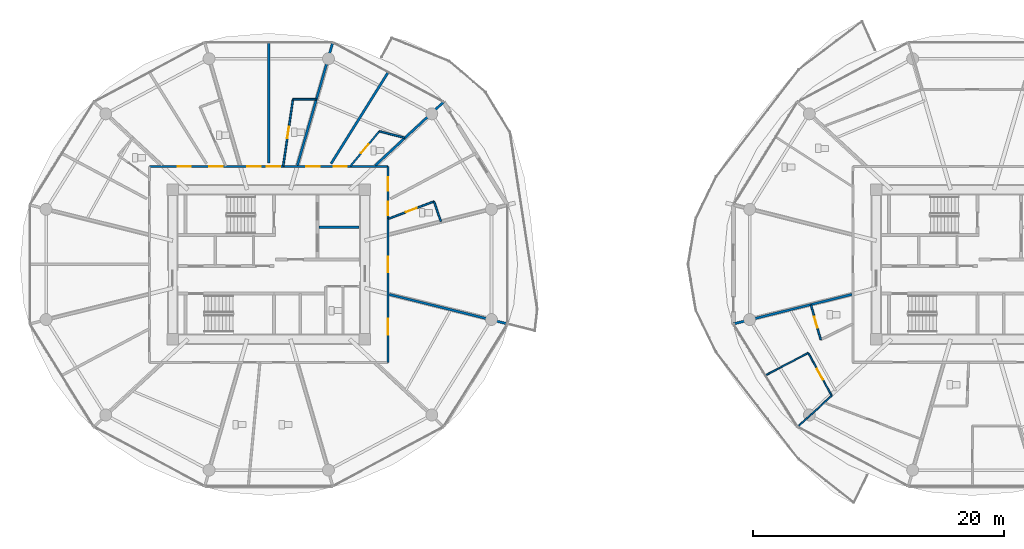
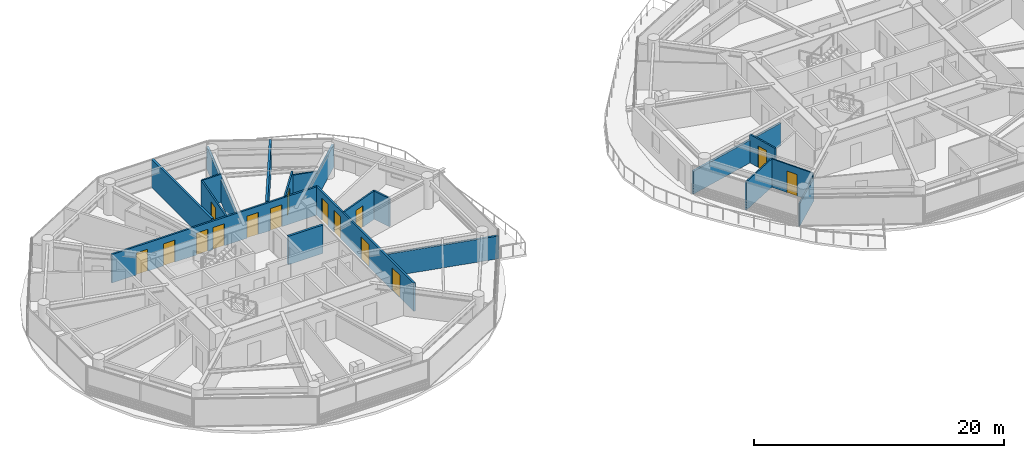
# One storey, part 17 of 26: 19 walls, 15 doors, 15 openings.
"""IFC4 building model written with IfcOpenShell, lengths in metres."""

from ifc_helpers import new_model, si_unit, direction, frame, frame_2d, origin, place, context, subcontext, project, spatial, rectangle, extrude, source, transform, mapped, material, layer, layer_set, type_object, type_shapes, element, fill, save


model = new_model("IFC4")

# Units and contexts
model_context = context("Model", 3, precision=1e-05, world=origin(), true_north=direction((0.0, 1.0)))
body_context = subcontext(model_context, "Body", "Model", "MODEL_VIEW")
ifc_project = project(units=[si_unit("LENGTHUNIT", "METRE"), si_unit("AREAUNIT", "SQUARE_METRE"), si_unit("VOLUMEUNIT", "CUBIC_METRE"), si_unit("PLANEANGLEUNIT", "RADIAN"), si_unit("MASSUNIT", "GRAM", prefix="KILO")], contexts=[model_context])

# Site, building, storey
site_placement = place(None, origin())
site = spatial("IfcSite", under=ifc_project, at=site_placement, CompositionType="ELEMENT")
building_placement = place(site_placement, origin())
building = spatial("IfcBuilding", under=site, at=building_placement, Name="Norrkilde Senior Care Towers", CompositionType="ELEMENT")
storey_placement = place(building_placement, frame((0.0, 0.0, 67.35009765625)))
storey = spatial("IfcBuildingStorey", under=building, at=storey_placement, Name="L20", CompositionType="ELEMENT", Elevation=67.35009765625)

# Wall
ifc_material_1 = material(Name="Concrete C45/55", Category="concrete")
ifc_layer_1 = layer(ifc_material_1, 0.199951171875)
ifc_layer_set_1 = layer_set([ifc_layer_1], Name="Concrete C45/55")
wall_type_1 = type_object("IfcWallType", Name="Shaft Division and Plant Partition 200", PredefinedType="PARTITIONING", material=ifc_layer_set_1)
shared_shape_1 = source(origin(), body_context, "Body", "SweptSolid", [
    extrude(rectangle(XDim=3.199951171875, YDim=0.199951171875, at=frame_2d((1.60009765625, 0.0))), origin(), (0.0, 0.0, 1.0), 2.77490234375),
])
type_shapes(wall_type_1, [shared_shape_1])
wall_1_placement = place(storey_placement, frame((-24.0, 2.949951171875, 0.0), z_axis=(0.0, 0.0, 1.0), x_axis=(1.0, 0.0, 0.0)))
element("IfcWall", 1, at=wall_1_placement, inside=storey, type_object=wall_type_1, Name="WL-INT-L20-W-FFLDIV", PredefinedType="PARTITIONING", context=body_context, shape_type="MappedRepresentation", body=[
    mapped(shared_shape_1, transform((0.0, 0.0, 0.0), x_axis=(1.0, 0.0, 0.0), y_axis=(0.0, 1.0, 0.0), z_axis=(0.0, 0.0, 1.0), scale=1.0)),
])

# Wall, openings, doors
ifc_material_2 = material(Name="Gypsum Acoustic Board")
ifc_layer_2 = layer(ifc_material_2, 0.1650390625)
ifc_layer_set_2 = layer_set([ifc_layer_2], Name="Gypsum Acoustic Board")
wall_type_2 = type_object("IfcWallType", Name="Corridor Rated Partition 165", PredefinedType="PARTITIONING", material=ifc_layer_set_2)
shared_shape_2 = source(origin(), body_context, "Body", "SweptSolid", [
    extrude(rectangle(XDim=19.0, YDim=0.1650390625, at=frame_2d((9.5, 0.0))), origin(), (0.0, 0.0, 1.0), 2.77490234375),
])
wall_2_placement = place(storey_placement, frame((-37.5, 7.800048828125, 0.0), z_axis=(0.0, 0.0, 1.0), x_axis=(1.0, 0.0, 0.0)))
wall_2 = element("IfcWall", 2, at=wall_2_placement, inside=storey, type_object=wall_type_2, Name="WL-INT-L20-W-CRW-N-0", PredefinedType="PARTITIONING", context=body_context, shape_type="MappedRepresentation", body=[
    mapped(shared_shape_2, transform((0.0, 0.0, 0.0), x_axis=(1.0, 0.0, 0.0), y_axis=(0.0, 1.0, 0.0), z_axis=(0.0, 0.0, 1.0), scale=1.0)),
])
opening_1_placement = place(wall_2_placement, frame((14.6533203125, 0.0, 0.0)))
opening_1 = element("IfcOpeningElement", 3, at=opening_1_placement, cuts=wall_2, Name="Opening D-06", PredefinedType="OPENING", context=body_context, shape_type="SweptSolid", body=[
    extrude(rectangle(XDim=1.050048828125, YDim=2.14990234375, at=frame_2d((0.52490234375, 1.074951171875))), frame((0.0, 0.092529296875, 0.0), z_axis=(0.0, -1.0, 0.0), x_axis=(1.0, 0.0, 0.0)), (0.0, 0.0, 1.0), 0.18505859375),
])
opening_2_placement = place(wall_2_placement, frame((12.499755859375, 0.0, 0.0)))
opening_2 = element("IfcOpeningElement", 4, at=opening_2_placement, cuts=wall_2, Name="Opening D-06", PredefinedType="OPENING", context=body_context, shape_type="SweptSolid", body=[
    extrude(rectangle(XDim=1.050048828125, YDim=2.14990234375, at=frame_2d((0.52490234375, 1.074951171875))), frame((0.0, 0.092529296875, 0.0), z_axis=(0.0, -1.0, 0.0), x_axis=(1.0, 0.0, 0.0)), (0.0, 0.0, 1.0), 0.18505859375),
])
opening_3_placement = place(wall_2_placement, frame((9.351806640625, 0.0, 0.0)))
opening_3 = element("IfcOpeningElement", 5, at=opening_3_placement, cuts=wall_2, Name="Opening D-06", PredefinedType="OPENING", context=body_context, shape_type="SweptSolid", body=[
    extrude(rectangle(XDim=1.050048828125, YDim=2.14990234375, at=frame_2d((0.52490234375, 1.074951171875))), frame((0.0, 0.092529296875, 0.0), z_axis=(0.0, -1.0, 0.0), x_axis=(1.0, 0.0, 0.0)), (0.0, 0.0, 1.0), 0.18505859375),
])
opening_4_placement = place(wall_2_placement, frame((7.806396484375, 0.0, 0.0)))
opening_4 = element("IfcOpeningElement", 6, at=opening_4_placement, cuts=wall_2, Name="Opening D-06", PredefinedType="OPENING", context=body_context, shape_type="SweptSolid", body=[
    extrude(rectangle(XDim=1.050048828125, YDim=2.14990234375, at=frame_2d((0.52490234375, 1.074951171875))), frame((0.0, 0.092529296875, 0.0), z_axis=(0.0, -1.0, 0.0), x_axis=(1.0, 0.0, 0.0)), (0.0, 0.0, 1.0), 0.18505859375),
])
opening_5_placement = place(wall_2_placement, frame((4.77294921875, 0.0, 0.0)))
opening_5 = element("IfcOpeningElement", 7, at=opening_5_placement, cuts=wall_2, Name="Opening D-06", PredefinedType="OPENING", context=body_context, shape_type="SweptSolid", body=[
    extrude(rectangle(XDim=1.050048828125, YDim=2.14990234375, at=frame_2d((0.52490234375, 1.074951171875))), frame((0.0, 0.092529296875, 0.0), z_axis=(0.0, -1.0, 0.0), x_axis=(1.0, 0.0, 0.0)), (0.0, 0.0, 1.0), 0.18505859375),
])
opening_6_placement = place(wall_2_placement, frame((2.251220703125, 0.0, 0.0)))
opening_6 = element("IfcOpeningElement", 8, at=opening_6_placement, cuts=wall_2, Name="Opening D-06", PredefinedType="OPENING", context=body_context, shape_type="SweptSolid", body=[
    extrude(rectangle(XDim=1.050048828125, YDim=2.14990234375, at=frame_2d((0.52490234375, 1.074951171875))), frame((0.0, 0.092529296875, 0.0), z_axis=(0.0, -1.0, 0.0), x_axis=(1.0, 0.0, 0.0)), (0.0, 0.0, 1.0), 0.18505859375),
])
ifc_material_3 = material(Name="Nordic Ash Timber", Category="wood")
door_type_1 = type_object("IfcDoorType", Name="Apartment Entrance Fire Door 1050x2150", OperationType="NOTDEFINED", PredefinedType="DOOR", material=ifc_material_3)
shared_shape_3 = source(origin(), body_context, "Body", "SweptSolid", [
    extrude(rectangle(XDim=1.050048828125, YDim=2.14990234375, at=frame_2d((0.52490234375, 1.074951171875))), frame((0.0, 0.02490234375, 0.0), z_axis=(0.0, -1.0, 0.0), x_axis=(1.0, 0.0, 0.0)), (0.0, 0.0, 1.0), 0.050048828125),
])
type_shapes(door_type_1, [shared_shape_3])
door_1_placement = place(opening_1_placement, frame((1.050048828125, 0.0, 0.0), z_axis=(0.0, 0.0, 1.0), x_axis=(-1.0, 0.0, 0.0)))
door_1 = element("IfcDoor", 9, at=door_1_placement, inside=storey, type_object=door_type_1, Name="L20 Care Suite 2001A Entrance Door", OperationType="SINGLE_SWING_RIGHT", OverallHeight=2.14990234375, OverallWidth=1.050048828125, PredefinedType="DOOR", context=body_context, shape_type="MappedRepresentation", body=[
    mapped(shared_shape_3, transform((0.0, 0.0, 0.0), x_axis=(1.0, 0.0, 0.0), y_axis=(0.0, 1.0, 0.0), z_axis=(0.0, 0.0, 1.0), scale=1.0)),
])
fill(opening_1, door_1)
door_2_placement = place(opening_2_placement, frame((1.050048828125, 0.0, 0.0), z_axis=(0.0, 0.0, 1.0), x_axis=(-1.0, 0.0, 0.0)))
door_2 = element("IfcDoor", 10, at=door_2_placement, inside=storey, type_object=door_type_1, Name="L20 Therapy Day Lounge 01 Door", OperationType="SINGLE_SWING_LEFT", OverallHeight=2.14990234375, OverallWidth=1.050048828125, PredefinedType="DOOR", context=body_context, shape_type="MappedRepresentation", body=[
    mapped(shared_shape_3, transform((0.0, 0.0, 0.0), x_axis=(1.0, 0.0, 0.0), y_axis=(0.0, 1.0, 0.0), z_axis=(0.0, 0.0, 1.0), scale=1.0)),
])
fill(opening_2, door_2)
door_3_placement = place(opening_3_placement, frame((1.050048828125, 0.0, 0.0), z_axis=(0.0, 0.0, 1.0), x_axis=(-1.0, 0.0, 0.0)))
door_3 = element("IfcDoor", 11, at=door_3_placement, inside=storey, type_object=door_type_1, Name="L20 Care Suite 2002A Entrance Door", OperationType="SINGLE_SWING_LEFT", OverallHeight=2.14990234375, OverallWidth=1.050048828125, PredefinedType="DOOR", context=body_context, shape_type="MappedRepresentation", body=[
    mapped(shared_shape_3, transform((0.0, 0.0, 0.0), x_axis=(1.0, 0.0, 0.0), y_axis=(0.0, 1.0, 0.0), z_axis=(0.0, 0.0, 1.0), scale=1.0)),
])
fill(opening_3, door_3)
door_4_placement = place(opening_4_placement, frame((1.050048828125, 0.0, 0.0), z_axis=(0.0, 0.0, 1.0), x_axis=(-1.0, 0.0, 0.0)))
door_4 = element("IfcDoor", 12, at=door_4_placement, inside=storey, type_object=door_type_1, Name="L20 Therapy Day Lounge 02 Door", OperationType="SINGLE_SWING_RIGHT", OverallHeight=2.14990234375, OverallWidth=1.050048828125, PredefinedType="DOOR", context=body_context, shape_type="MappedRepresentation", body=[
    mapped(shared_shape_3, transform((0.0, 0.0, 0.0), x_axis=(1.0, 0.0, 0.0), y_axis=(0.0, 1.0, 0.0), z_axis=(0.0, 0.0, 1.0), scale=1.0)),
])
fill(opening_4, door_4)
door_5_placement = place(opening_5_placement, frame((1.050048828125, 0.0, 0.0), z_axis=(0.0, 0.0, 1.0), x_axis=(-1.0, 0.0, 0.0)))
door_5 = element("IfcDoor", 13, at=door_5_placement, inside=storey, type_object=door_type_1, Name="L20 Care Suite 2003A Entrance Door", OperationType="SINGLE_SWING_RIGHT", OverallHeight=2.14990234375, OverallWidth=1.050048828125, PredefinedType="DOOR", context=body_context, shape_type="MappedRepresentation", body=[
    mapped(shared_shape_3, transform((0.0, 0.0, 0.0), x_axis=(1.0, 0.0, 0.0), y_axis=(0.0, 1.0, 0.0), z_axis=(0.0, 0.0, 1.0), scale=1.0)),
])
fill(opening_5, door_5)
door_6_placement = place(opening_6_placement, frame((1.050048828125, 0.0, 0.0), z_axis=(0.0, 0.0, 1.0), x_axis=(-1.0, 0.0, 0.0)))
door_6 = element("IfcDoor", 14, at=door_6_placement, inside=storey, type_object=door_type_1, Name="L20 Therapy Day Lounge 03 Door", OperationType="SINGLE_SWING_LEFT", OverallHeight=2.14990234375, OverallWidth=1.050048828125, PredefinedType="DOOR", context=body_context, shape_type="MappedRepresentation", body=[
    mapped(shared_shape_3, transform((0.0, 0.0, 0.0), x_axis=(1.0, 0.0, 0.0), y_axis=(0.0, 1.0, 0.0), z_axis=(0.0, 0.0, 1.0), scale=1.0)),
])
fill(opening_6, door_6)

shared_shape_4 = source(origin(), body_context, "Body", "SweptSolid", [
    extrude(rectangle(XDim=15.60009765625, YDim=0.1650390625, at=frame_2d((7.800048828125, 0.0))), origin(), (0.0, 0.0, 1.0), 2.77490234375),
])
type_shapes(wall_type_2, [shared_shape_2, shared_shape_4])
wall_3_placement = place(storey_placement, frame((-18.5, 7.800048828125, 0.0), z_axis=(0.0, 0.0, 1.0), x_axis=(0.0, -1.0, 0.0)))
wall_3 = element("IfcWall", 15, at=wall_3_placement, inside=storey, type_object=wall_type_2, Name="WL-INT-L20-W-CRW-E-0", PredefinedType="PARTITIONING", context=body_context, shape_type="MappedRepresentation", body=[
    mapped(shared_shape_4, transform((0.0, 0.0, 0.0), x_axis=(1.0, 0.0, 0.0), y_axis=(0.0, 1.0, 0.0), z_axis=(0.0, 0.0, 1.0), scale=1.0)),
])
opening_7_placement = place(wall_3_placement, frame((12.141357421875, 0.0, 0.0)))
opening_7 = element("IfcOpeningElement", 16, at=opening_7_placement, cuts=wall_3, Name="Opening D-05", PredefinedType="OPENING", context=body_context, shape_type="SweptSolid", body=[
    extrude(rectangle(XDim=1.25, YDim=2.199951171875, at=frame_2d((0.625, 1.10009765625))), frame((0.0, 0.092529296875, 0.0), z_axis=(0.0, -1.0, 0.0), x_axis=(1.0, 0.0, 0.0)), (0.0, 0.0, 1.0), 0.18505859375),
])
opening_8_placement = place(wall_3_placement, frame((7.175048828125, 0.0, 0.0)))
opening_8 = element("IfcOpeningElement", 17, at=opening_8_placement, cuts=wall_3, Name="Opening D-05", PredefinedType="OPENING", context=body_context, shape_type="SweptSolid", body=[
    extrude(rectangle(XDim=1.25, YDim=2.199951171875, at=frame_2d((0.625, 1.10009765625))), frame((0.0, 0.092529296875, 0.0), z_axis=(0.0, -1.0, 0.0), x_axis=(1.0, 0.0, 0.0)), (0.0, 0.0, 1.0), 0.18505859375),
])
opening_9_placement = place(wall_3_placement, frame((2.826416015625, 0.0, 0.0)))
opening_9 = element("IfcOpeningElement", 18, at=opening_9_placement, cuts=wall_3, Name="Opening D-06", PredefinedType="OPENING", context=body_context, shape_type="SweptSolid", body=[
    extrude(rectangle(XDim=1.050048828125, YDim=2.14990234375, at=frame_2d((0.52490234375, 1.074951171875))), frame((0.0, 0.092529296875, 0.0), z_axis=(0.0, -1.0, 0.0), x_axis=(1.0, 0.0, 0.0)), (0.0, 0.0, 1.0), 0.18505859375),
])
opening_10_placement = place(wall_3_placement, frame((0.88134765625, 0.0, 0.0)))
opening_10 = element("IfcOpeningElement", 19, at=opening_10_placement, cuts=wall_3, Name="Opening D-06", PredefinedType="OPENING", context=body_context, shape_type="SweptSolid", body=[
    extrude(rectangle(XDim=1.050048828125, YDim=2.14990234375, at=frame_2d((0.52490234375, 1.074951171875))), frame((0.0, 0.092529296875, 0.0), z_axis=(0.0, -1.0, 0.0), x_axis=(1.0, 0.0, 0.0)), (0.0, 0.0, 1.0), 0.18505859375),
])
door_type_2 = type_object("IfcDoorType", Name="Care Bedroom Bariatric Door 1250x2200", OperationType="NOTDEFINED", PredefinedType="DOOR", material=ifc_material_3)
shared_shape_5 = source(origin(), body_context, "Body", "SweptSolid", [
    extrude(rectangle(XDim=1.25, YDim=2.199951171875, at=frame_2d((0.625, 1.10009765625))), frame((0.0, 0.02490234375, 0.0), z_axis=(0.0, -1.0, 0.0), x_axis=(1.0, 0.0, 0.0)), (0.0, 0.0, 1.0), 0.050048828125),
])
type_shapes(door_type_2, [shared_shape_5])
door_7_placement = place(opening_7_placement, frame((1.25, 0.0, 0.0), z_axis=(0.0, 0.0, 1.0), x_axis=(-1.0, 0.0, 0.0)))
door_7 = element("IfcDoor", 20, at=door_7_placement, inside=storey, type_object=door_type_2, Name="L20 Care Coordination Charting Office Door", OperationType="SINGLE_SWING_LEFT", OverallHeight=2.199951171875, OverallWidth=1.25, PredefinedType="DOOR", context=body_context, shape_type="MappedRepresentation", body=[
    mapped(shared_shape_5, transform((0.0, 0.0, 0.0), x_axis=(1.0, 0.0, 0.0), y_axis=(0.0, 1.0, 0.0), z_axis=(0.0, 0.0, 1.0), scale=1.0)),
])
fill(opening_7, door_7)
door_8_placement = place(opening_8_placement, frame((1.25, 0.0, 0.0), z_axis=(0.0, 0.0, 1.0), x_axis=(-1.0, 0.0, 0.0)))
door_8 = element("IfcDoor", 21, at=door_8_placement, inside=storey, type_object=door_type_2, Name="L20 Resident Family Conference Room Door", OperationType="SINGLE_SWING_RIGHT", OverallHeight=2.199951171875, OverallWidth=1.25, PredefinedType="DOOR", context=body_context, shape_type="MappedRepresentation", body=[
    mapped(shared_shape_5, transform((0.0, 0.0, 0.0), x_axis=(1.0, 0.0, 0.0), y_axis=(0.0, 1.0, 0.0), z_axis=(0.0, 0.0, 1.0), scale=1.0)),
])
fill(opening_8, door_8)
door_9_placement = place(opening_9_placement, frame((1.050048828125, 0.0, 0.0), z_axis=(0.0, 0.0, 1.0), x_axis=(-1.0, 0.0, 0.0)))
door_9 = element("IfcDoor", 22, at=door_9_placement, inside=storey, type_object=door_type_1, Name="L20 Care Suite 2000A Entrance Door", OperationType="SINGLE_SWING_LEFT", OverallHeight=2.14990234375, OverallWidth=1.050048828125, PredefinedType="DOOR", context=body_context, shape_type="MappedRepresentation", body=[
    mapped(shared_shape_3, transform((0.0, 0.0, 0.0), x_axis=(1.0, 0.0, 0.0), y_axis=(0.0, 1.0, 0.0), z_axis=(0.0, 0.0, 1.0), scale=1.0)),
])
fill(opening_9, door_9)
door_10_placement = place(opening_10_placement, frame((1.050048828125, 0.0, 0.0), z_axis=(0.0, 0.0, 1.0), x_axis=(-1.0, 0.0, 0.0)))
door_10 = element("IfcDoor", 23, at=door_10_placement, inside=storey, type_object=door_type_1, Name="L20 Therapy Day Lounge 00 Door", OperationType="SINGLE_SWING_RIGHT", OverallHeight=2.14990234375, OverallWidth=1.050048828125, PredefinedType="DOOR", context=body_context, shape_type="MappedRepresentation", body=[
    mapped(shared_shape_3, transform((0.0, 0.0, 0.0), x_axis=(1.0, 0.0, 0.0), y_axis=(0.0, 1.0, 0.0), z_axis=(0.0, 0.0, 1.0), scale=1.0)),
])
fill(opening_10, door_10)

# Walls
ifc_layer_3 = layer(ifc_material_2, 0.18994140625)
ifc_layer_set_3 = layer_set([ifc_layer_3], Name="Gypsum Acoustic Board")
wall_type_3 = type_object("IfcWallType", Name="Unit Demising Acoustic Wall 190", PredefinedType="PARTITIONING", material=ifc_layer_set_3)
shared_shape_6 = source(origin(), body_context, "Body", "SweptSolid", [
    extrude(rectangle(XDim=7.4345703125, YDim=0.18994140625, at=frame_2d((3.71728515625, 0.0))), origin(), (0.0, 0.0, 1.0), 2.224853515625),
])
wall_4_placement = place(storey_placement, frame((-19.51708984375, 7.8798828125, 0.0), z_axis=(0.0, 0.0, 1.0), x_axis=(0.732651956848, 0.680603489652, 0.0)))
element("IfcWall", 24, at=wall_4_placement, inside=storey, type_object=wall_type_3, Name="WL-INT-L20-W-DEM-01-0", PredefinedType="PARTITIONING", context=body_context, shape_type="MappedRepresentation", body=[
    mapped(shared_shape_6, transform((0.0, 0.0, 0.0), x_axis=(1.0, 0.0, 0.0), y_axis=(0.0, 1.0, 0.0), z_axis=(0.0, 0.0, 1.0), scale=1.0)),
])
shared_shape_7 = source(origin(), body_context, "Body", "SweptSolid", [
    extrude(rectangle(XDim=10.196044921875, YDim=0.18994140625, at=frame_2d((5.09814453125, 0.0))), origin(), (0.0, 0.0, 1.0), 2.224853515625),
])
wall_5_placement = place(storey_placement, frame((-25.72705078125, 7.8798828125, 0.0), z_axis=(0.0, 0.0, 1.0), x_axis=(0.277136420347, 0.960830580549, 0.0)))
element("IfcWall", 25, at=wall_5_placement, inside=storey, type_object=wall_type_3, Name="WL-INT-L20-W-DEM-02-0", PredefinedType="PARTITIONING", context=body_context, shape_type="MappedRepresentation", body=[
    mapped(shared_shape_7, transform((0.0, 0.0, 0.0), x_axis=(1.0, 0.0, 0.0), y_axis=(0.0, 1.0, 0.0), z_axis=(0.0, 0.0, 1.0), scale=1.0)),
])
shared_shape_8 = source(origin(), body_context, "Body", "SweptSolid", [
    extrude(rectangle(XDim=8.59814453125, YDim=0.18994140625, at=frame_2d((4.299072265625, 0.0))), origin(), (0.0, 0.0, 1.0), 2.77490234375),
])
wall_6_placement = place(storey_placement, frame((-23.04296875, 8.017333984375, 0.0), z_axis=(0.0, 0.0, 1.0), x_axis=(0.530039776395, 0.847972779893, 0.0)))
element("IfcWall", 26, at=wall_6_placement, inside=storey, type_object=wall_type_3, Name="WL-INT-L20-W-CMID-01", PredefinedType="PARTITIONING", context=body_context, shape_type="MappedRepresentation", body=[
    mapped(shared_shape_8, transform((0.0, 0.0, 0.0), x_axis=(1.0, 0.0, 0.0), y_axis=(0.0, 1.0, 0.0), z_axis=(0.0, 0.0, 1.0), scale=1.0)),
])

# Wall, opening, door
ifc_layer_4 = layer(ifc_material_2, 0.139892578125)
ifc_layer_set_4 = layer_set([ifc_layer_4], Name="Gypsum Acoustic Board")
wall_type_4 = type_object("IfcWallType", Name="En-suite Wet Room Wall 140", PredefinedType="PARTITIONING", material=ifc_layer_set_4)
shared_shape_9 = source(origin(), body_context, "Body", "SweptSolid", [
    extrude(rectangle(XDim=3.594482421875, YDim=0.139892578125, at=frame_2d((1.79736328125, 0.0))), origin(), (0.0, 0.0, 1.0), 2.77490234375),
])
wall_7_placement = place(storey_placement, frame((-21.49560546875, 7.830078125, 0.0), z_axis=(0.0, 0.0, 1.0), x_axis=(0.639001147083, 0.769205781326, 0.0)))
wall_7 = element("IfcWall", 27, at=wall_7_placement, inside=storey, type_object=wall_type_4, Name="WL-INT-L20-W-ES-01A", PredefinedType="PARTITIONING", context=body_context, shape_type="MappedRepresentation", body=[
    mapped(shared_shape_9, transform((0.0, 0.0, 0.0), x_axis=(1.0, 0.0, 0.0), y_axis=(0.0, 1.0, 0.0), z_axis=(0.0, 0.0, 1.0), scale=1.0)),
])
opening_11_placement = place(wall_7_placement, frame((1.33740234375, 0.0, 0.0)))
opening_11 = element("IfcOpeningElement", 28, at=opening_11_placement, cuts=wall_7, Name="Opening D-08", PredefinedType="OPENING", context=body_context, shape_type="SweptSolid", body=[
    extrude(rectangle(XDim=0.919921875, YDim=2.10009765625, at=frame_2d((0.4599609375, 1.050048828125))), frame((0.0, 0.079833984375, 0.0), z_axis=(0.0, -1.0, 0.0), x_axis=(1.0, 0.0, 0.0)), (0.0, 0.0, 1.0), 0.159912109375),
])
door_type_3 = type_object("IfcDoorType", Name="Accessible Wet Room Door 920x2100", OperationType="NOTDEFINED", PredefinedType="DOOR", material=ifc_material_3)
shared_shape_10 = source(origin(), body_context, "Body", "SweptSolid", [
    extrude(rectangle(XDim=0.919921875, YDim=2.10009765625, at=frame_2d((0.4599609375, 1.050048828125))), frame((0.0, 0.02490234375, 0.0), z_axis=(0.0, -1.0, 0.0), x_axis=(1.0, 0.0, 0.0)), (0.0, 0.0, 1.0), 0.050048828125),
])
type_shapes(door_type_3, [shared_shape_10])
door_11_placement = place(opening_11_placement, origin())
door_11 = element("IfcDoor", 29, at=door_11_placement, inside=storey, type_object=door_type_3, Name="L20 Care Suite 2001A Bathroom Door", OperationType="SINGLE_SWING_LEFT", OverallHeight=2.10009765625, OverallWidth=0.919921875, PredefinedType="DOOR", context=body_context, shape_type="MappedRepresentation", body=[
    mapped(shared_shape_10, transform((0.0, 0.0, 0.0), x_axis=(1.0, 0.0, 0.0), y_axis=(0.0, 1.0, 0.0), z_axis=(0.0, 0.0, 1.0), scale=1.0)),
])
fill(opening_11, door_11)

# Walls
shared_shape_11 = source(origin(), body_context, "Body", "SweptSolid", [
    extrude(rectangle(XDim=2.06201171875, YDim=0.139892578125, at=frame_2d((1.031005859375, 0.0))), origin(), (0.0, 0.0, 1.0), 2.414794921875),
])
wall_8_placement = place(storey_placement, frame((-19.19873046875, 10.594970703125, 0.0), z_axis=(0.0, 0.0, 1.0), x_axis=(0.968776253543, -0.247936626121, 0.0)))
element("IfcWall", 30, at=wall_8_placement, inside=storey, type_object=wall_type_4, Name="WL-INT-L20-W-EF-01A", PredefinedType="PARTITIONING", context=body_context, shape_type="MappedRepresentation", body=[
    mapped(shared_shape_11, transform((0.0, 0.0, 0.0), x_axis=(1.0, 0.0, 0.0), y_axis=(0.0, 1.0, 0.0), z_axis=(0.0, 0.0, 1.0), scale=1.0)),
])
shared_shape_12 = source(origin(), body_context, "Body", "SweptSolid", [
    extrude(rectangle(XDim=9.737060546875, YDim=0.18994140625, at=frame_2d((4.86865234375, 0.0))), origin(), (0.0, 0.0, 1.0), 2.224853515625),
])
for number, where, z_axis, x_axis, name in (
    (31, (-18.419921875, -2.384521484375, 0.0), (0.0, 0.0, 1.0), (0.970392716238, -0.241532557375, 0.0), "WL-INT-L20-W-DEM-11-0"),
    (32, (18.419921875, -2.384521484375, 0.0), (0.0, 0.0, 1.0), (-0.970392716238, -0.241532557375, 0.0), "WL-INT-L20-E-DEM-06-0"),
):
    element("IfcWall", number, at=place(storey_placement, frame(where, z_axis=z_axis, x_axis=x_axis)), inside=storey, type_object=wall_type_3, Name=name, PredefinedType="PARTITIONING", context=body_context, shape_type="MappedRepresentation", body=[
        mapped(shared_shape_12, transform((0.0, 0.0, 0.0), x_axis=(1.0, 0.0, 0.0), y_axis=(0.0, 1.0, 0.0), z_axis=(0.0, 0.0, 1.0), scale=1.0)),
    ])

# Wall, opening, door
shared_shape_13 = source(origin(), body_context, "Body", "SweptSolid", [
    extrude(rectangle(XDim=3.8740234375, YDim=0.139892578125, at=frame_2d((1.93701171875, 0.0))), origin(), (0.0, 0.0, 1.0), 2.77490234375),
])
wall_9_placement = place(storey_placement, frame((-18.469970703125, 3.631591796875, 0.0), z_axis=(0.0, 0.0, 1.0), x_axis=(0.934461775659, 0.35606346321, 0.0)))
wall_9 = element("IfcWall", 33, at=wall_9_placement, inside=storey, type_object=wall_type_4, Name="WL-INT-L20-W-ES-00A", PredefinedType="PARTITIONING", context=body_context, shape_type="MappedRepresentation", body=[
    mapped(shared_shape_13, transform((0.0, 0.0, 0.0), x_axis=(1.0, 0.0, 0.0), y_axis=(0.0, 1.0, 0.0), z_axis=(0.0, 0.0, 1.0), scale=1.0)),
])
opening_12_placement = place(wall_9_placement, frame((1.47705078125, 0.0, 0.0)))
opening_12 = element("IfcOpeningElement", 34, at=opening_12_placement, cuts=wall_9, Name="Opening D-08", PredefinedType="OPENING", context=body_context, shape_type="SweptSolid", body=[
    extrude(rectangle(XDim=0.919921875, YDim=2.10009765625, at=frame_2d((0.4599609375, 1.050048828125))), frame((0.0, 0.079833984375, 0.0), z_axis=(0.0, -1.0, 0.0), x_axis=(1.0, 0.0, 0.0)), (0.0, 0.0, 1.0), 0.159912109375),
])
door_12_placement = place(opening_12_placement, origin())
door_12 = element("IfcDoor", 35, at=door_12_placement, inside=storey, type_object=door_type_3, Name="L20 Care Suite 2000A Bathroom Door", OperationType="SINGLE_SWING_RIGHT", OverallHeight=2.10009765625, OverallWidth=0.919921875, PredefinedType="DOOR", context=body_context, shape_type="MappedRepresentation", body=[
    mapped(shared_shape_10, transform((0.0, 0.0, 0.0), x_axis=(1.0, 0.0, 0.0), y_axis=(0.0, 1.0, 0.0), z_axis=(0.0, 0.0, 1.0), scale=1.0)),
])
fill(opening_12, door_12)

# Walls
shared_shape_14 = source(origin(), body_context, "Body", "SweptSolid", [
    extrude(rectangle(XDim=1.67578125, YDim=0.139892578125, at=frame_2d((0.837890625, 0.0))), origin(), (0.0, 0.0, 1.0), 2.77490234375),
])
wall_10_placement = place(storey_placement, frame((-14.849853515625, 5.010986328125, 0.0), z_axis=(0.0, 0.0, 1.0), x_axis=(0.327785970556, -0.944752008469, 0.0)))
element("IfcWall", 36, at=wall_10_placement, inside=storey, type_object=wall_type_4, Name="WL-INT-L20-W-EF-00A", PredefinedType="PARTITIONING", context=body_context, shape_type="MappedRepresentation", body=[
    mapped(shared_shape_14, transform((0.0, 0.0, 0.0), x_axis=(1.0, 0.0, 0.0), y_axis=(0.0, 1.0, 0.0), z_axis=(0.0, 0.0, 1.0), scale=1.0)),
])
shared_shape_15 = source(origin(), body_context, "Body", "SweptSolid", [
    extrude(rectangle(XDim=9.6005859375, YDim=0.18994140625, at=frame_2d((4.80029296875, 0.0))), origin(), (0.0, 0.0, 1.0), 2.77490234375),
])
type_shapes(wall_type_3, [shared_shape_6, shared_shape_7, shared_shape_8, shared_shape_12, shared_shape_15])
wall_11_placement = place(storey_placement, frame((-28.0, 8.075927734375, 0.0), z_axis=(0.0, 0.0, 1.0), x_axis=(0.0, 1.0, 0.0)))
element("IfcWall", 37, at=wall_11_placement, inside=storey, type_object=wall_type_3, Name="WL-INT-L20-W-CMID-02", PredefinedType="PARTITIONING", context=body_context, shape_type="MappedRepresentation", body=[
    mapped(shared_shape_15, transform((0.0, 0.0, 0.0), x_axis=(1.0, 0.0, 0.0), y_axis=(0.0, 1.0, 0.0), z_axis=(0.0, 0.0, 1.0), scale=1.0)),
])

# Wall, opening, door
shared_shape_16 = source(origin(), body_context, "Body", "SweptSolid", [
    extrude(rectangle(XDim=5.36962890625, YDim=0.139892578125, at=frame_2d((2.684814453125, 0.0))), origin(), (0.0, 0.0, 1.0), 2.77490234375),
])
wall_12_placement = place(storey_placement, frame((-26.851318359375, 7.830078125, 0.0), z_axis=(0.0, 0.0, 1.0), x_axis=(0.145131397853, 0.989412389935, 0.0)))
wall_12 = element("IfcWall", 38, at=wall_12_placement, inside=storey, type_object=wall_type_4, Name="WL-INT-L20-W-ES-02A", PredefinedType="PARTITIONING", context=body_context, shape_type="MappedRepresentation", body=[
    mapped(shared_shape_16, transform((0.0, 0.0, 0.0), x_axis=(1.0, 0.0, 0.0), y_axis=(0.0, 1.0, 0.0), z_axis=(0.0, 0.0, 1.0), scale=1.0)),
])
opening_13_placement = place(wall_12_placement, frame((2.224853515625, 0.0, 0.0)))
opening_13 = element("IfcOpeningElement", 39, at=opening_13_placement, cuts=wall_12, Name="Opening D-08", PredefinedType="OPENING", context=body_context, shape_type="SweptSolid", body=[
    extrude(rectangle(XDim=0.919921875, YDim=2.10009765625, at=frame_2d((0.4599609375, 1.050048828125))), frame((0.0, 0.079833984375, 0.0), z_axis=(0.0, -1.0, 0.0), x_axis=(1.0, 0.0, 0.0)), (0.0, 0.0, 1.0), 0.159912109375),
])
door_13_placement = place(opening_13_placement, origin())
door_13 = element("IfcDoor", 40, at=door_13_placement, inside=storey, type_object=door_type_3, Name="L20 Care Suite 2002A Bathroom Door", OperationType="SINGLE_SWING_RIGHT", OverallHeight=2.10009765625, OverallWidth=0.919921875, PredefinedType="DOOR", context=body_context, shape_type="MappedRepresentation", body=[
    mapped(shared_shape_10, transform((0.0, 0.0, 0.0), x_axis=(1.0, 0.0, 0.0), y_axis=(0.0, 1.0, 0.0), z_axis=(0.0, 0.0, 1.0), scale=1.0)),
])
fill(opening_13, door_13)

# Walls
shared_shape_17 = source(origin(), body_context, "Body", "SweptSolid", [
    extrude(rectangle(XDim=1.842529296875, YDim=0.139892578125, at=frame_2d((0.92138671875, 0.0))), origin(), (0.0, 0.0, 1.0), 2.77490234375),
])
wall_13_placement = place(storey_placement, frame((-26.072021484375, 13.142822265625, 0.0), z_axis=(0.0, 0.0, 1.0), x_axis=(0.999998937801, -0.001457531246, 0.0)))
element("IfcWall", 41, at=wall_13_placement, inside=storey, type_object=wall_type_4, Name="WL-INT-L20-W-EF-02A", PredefinedType="PARTITIONING", context=body_context, shape_type="MappedRepresentation", body=[
    mapped(shared_shape_17, transform((0.0, 0.0, 0.0), x_axis=(1.0, 0.0, 0.0), y_axis=(0.0, 1.0, 0.0), z_axis=(0.0, 0.0, 1.0), scale=1.0)),
])
ifc_layer_5 = layer(ifc_material_2, 0.114990234375)
ifc_layer_set_5 = layer_set([ifc_layer_5], Name="Gypsum Acoustic Board")
wall_type_5 = type_object("IfcWallType", Name="Internal Room Partition 115", PredefinedType="PARTITIONING", material=ifc_layer_set_5)
shared_shape_18 = source(origin(), body_context, "Body", "SweptSolid", [
    extrude(rectangle(XDim=3.863525390625, YDim=0.114990234375, at=frame_2d((1.931640625, 0.0))), origin(), (0.0, 0.0, 1.0), 2.77490234375),
])
wall_14_placement = place(storey_placement, frame((14.9404296875, -7.040771484375, 0.0), z_axis=(0.0, 0.0, 1.0), x_axis=(-0.885194959803, -0.465220252289, 0.0)))
element("IfcWall", 42, at=wall_14_placement, inside=storey, type_object=wall_type_5, Name="WL-INT-L20-E-UKTS-06", PredefinedType="PARTITIONING", context=body_context, shape_type="MappedRepresentation", body=[
    mapped(shared_shape_18, transform((0.0, 0.0, 0.0), x_axis=(1.0, 0.0, 0.0), y_axis=(0.0, 1.0, 0.0), z_axis=(0.0, 0.0, 1.0), scale=1.0)),
])

# Wall, opening, door
shared_shape_19 = source(origin(), body_context, "Body", "SweptSolid", [
    extrude(rectangle(XDim=2.884765625, YDim=0.139892578125, at=frame_2d((1.4423828125, 0.0))), origin(), (0.0, 0.0, 1.0), 2.77490234375),
])
type_shapes(wall_type_4, [shared_shape_9, shared_shape_11, shared_shape_13, shared_shape_14, shared_shape_16, shared_shape_17, shared_shape_19])
wall_15_placement = place(storey_placement, frame((15.93115234375, -5.9921875, 0.0), z_axis=(0.0, 0.0, 1.0), x_axis=(-0.269799431837, 0.962916541856, 0.0)))
wall_15 = element("IfcWall", 43, at=wall_15_placement, inside=storey, type_object=wall_type_4, Name="WL-INT-L20-E-UBTF-06", PredefinedType="PARTITIONING", context=body_context, shape_type="MappedRepresentation", body=[
    mapped(shared_shape_19, transform((0.0, 0.0, 0.0), x_axis=(1.0, 0.0, 0.0), y_axis=(0.0, 1.0, 0.0), z_axis=(0.0, 0.0, 1.0), scale=1.0)),
])
opening_14_placement = place(wall_15_placement, frame((0.982421875, 0.0, 0.0)))
opening_14 = element("IfcOpeningElement", 44, at=opening_14_placement, cuts=wall_15, Name="Opening D-08", PredefinedType="OPENING", context=body_context, shape_type="SweptSolid", body=[
    extrude(rectangle(XDim=0.919921875, YDim=2.10009765625, at=frame_2d((0.4599609375, 1.050048828125))), frame((0.0, 0.079833984375, 0.0), z_axis=(0.0, -1.0, 0.0), x_axis=(1.0, 0.0, 0.0)), (0.0, 0.0, 1.0), 0.159912109375),
])
door_14_placement = place(opening_14_placement, origin())
door_14 = element("IfcDoor", 45, at=door_14_placement, inside=storey, type_object=door_type_3, Name="Apartment 20A Bathroom Door", OperationType="SINGLE_SWING_RIGHT", OverallHeight=2.10009765625, OverallWidth=0.919921875, PredefinedType="DOOR", context=body_context, shape_type="MappedRepresentation", body=[
    mapped(shared_shape_10, transform((0.0, 0.0, 0.0), x_axis=(1.0, 0.0, 0.0), y_axis=(0.0, 1.0, 0.0), z_axis=(0.0, 0.0, 1.0), scale=1.0)),
])
fill(opening_14, door_14)

# Wall
shared_shape_20 = source(origin(), body_context, "Body", "SweptSolid", [
    extrude(rectangle(XDim=3.712890625, YDim=0.114990234375, at=frame_2d((1.8564453125, 0.0))), origin(), (0.0, 0.0, 1.0), 2.224853515625),
])
wall_16_placement = place(storey_placement, frame((16.817138671875, -10.442138671875, 0.0), z_axis=(0.0, 0.0, 1.0), x_axis=(-0.739877587881, -0.67274152165, 0.0)))
element("IfcWall", 46, at=wall_16_placement, inside=storey, type_object=wall_type_5, Name="WL-INT-L20-E-UBR-06-1", PredefinedType="PARTITIONING", context=body_context, shape_type="MappedRepresentation", body=[
    mapped(shared_shape_20, transform((0.0, 0.0, 0.0), x_axis=(1.0, 0.0, 0.0), y_axis=(0.0, 1.0, 0.0), z_axis=(0.0, 0.0, 1.0), scale=1.0)),
])

# Wall, opening, door
shared_shape_21 = source(origin(), body_context, "Body", "SweptSolid", [
    extrude(rectangle(XDim=3.887939453125, YDim=0.114990234375, at=frame_2d((1.94384765625, 0.0))), origin(), (0.0, 0.0, 1.0), 2.77490234375),
])
type_shapes(wall_type_5, [shared_shape_18, shared_shape_20, shared_shape_21])
wall_17_placement = place(storey_placement, frame((14.9404296875, -7.040771484375, 0.0), z_axis=(0.0, 0.0, 1.0), x_axis=(0.480382482853, -0.877059103007, 0.0)))
wall_17 = element("IfcWall", 47, at=wall_17_placement, inside=storey, type_object=wall_type_5, Name="WL-INT-L20-E-UKTF-06", PredefinedType="PARTITIONING", context=body_context, shape_type="MappedRepresentation", body=[
    mapped(shared_shape_21, transform((0.0, 0.0, 0.0), x_axis=(1.0, 0.0, 0.0), y_axis=(0.0, 1.0, 0.0), z_axis=(0.0, 0.0, 1.0), scale=1.0)),
])
opening_15_placement = place(wall_17_placement, frame((1.468994140625, 0.0, 0.0)))
opening_15 = element("IfcOpeningElement", 48, at=opening_15_placement, cuts=wall_17, Name="Opening D-07", PredefinedType="OPENING", context=body_context, shape_type="SweptSolid", body=[
    extrude(rectangle(XDim=0.949951171875, YDim=2.10009765625, at=frame_2d((0.47509765625, 1.050048828125))), frame((0.0, 0.0673828125, 0.0), z_axis=(0.0, -1.0, 0.0), x_axis=(1.0, 0.0, 0.0)), (0.0, 0.0, 1.0), 0.135009765625),
])
door_type_4 = type_object("IfcDoorType", Name="Internal Suite Bedroom Door 950x2100", OperationType="NOTDEFINED", PredefinedType="DOOR", material=ifc_material_3)
shared_shape_22 = source(origin(), body_context, "Body", "SweptSolid", [
    extrude(rectangle(XDim=0.949951171875, YDim=2.10009765625, at=frame_2d((0.47509765625, 1.050048828125))), frame((0.0, 0.02490234375, 0.0), z_axis=(0.0, -1.0, 0.0), x_axis=(1.0, 0.0, 0.0)), (0.0, 0.0, 1.0), 0.050048828125),
])
type_shapes(door_type_4, [shared_shape_22])
door_15_placement = place(opening_15_placement, frame((0.949951171875, 0.0, 0.0), z_axis=(0.0, 0.0, 1.0), x_axis=(-1.0, 0.0, 0.0)))
door_15 = element("IfcDoor", 49, at=door_15_placement, inside=storey, type_object=door_type_4, Name="Apartment 20A Kitchen Door", OperationType="SINGLE_SWING_LEFT", OverallHeight=2.10009765625, OverallWidth=0.949951171875, PredefinedType="DOOR", context=body_context, shape_type="MappedRepresentation", body=[
    mapped(shared_shape_22, transform((0.0, 0.0, 0.0), x_axis=(1.0, 0.0, 0.0), y_axis=(0.0, 1.0, 0.0), z_axis=(0.0, 0.0, 1.0), scale=1.0)),
])
fill(opening_15, door_15)

save(model, "model.ifc")
